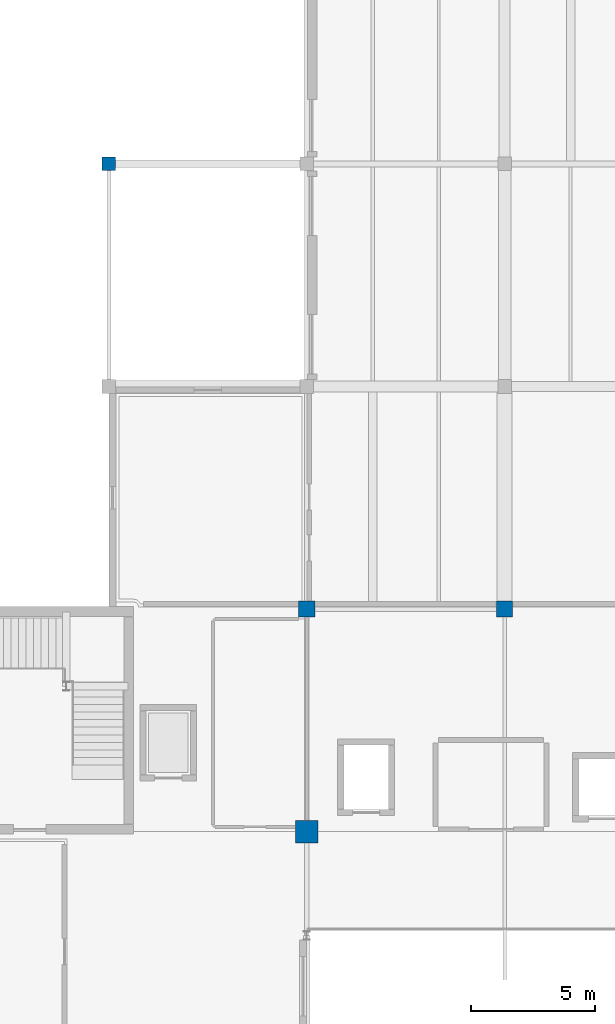
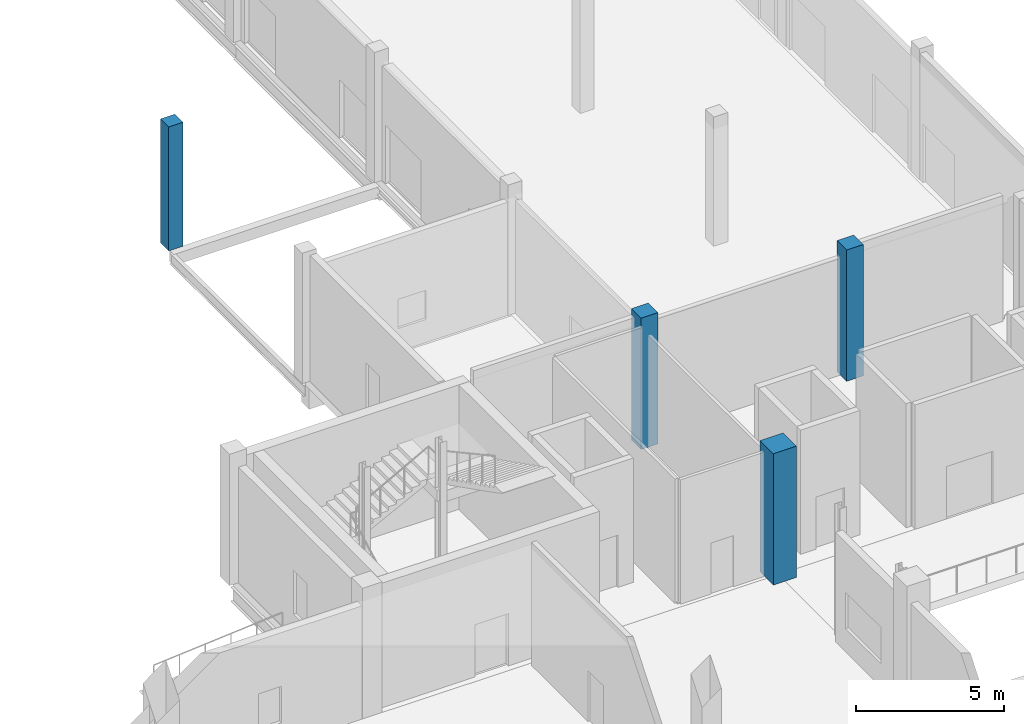
# One storey, part 10 of 57: 4 columns.
"""IFC4 building model written with IfcOpenShell, lengths in metres."""

import ifcopenshell
import ifcopenshell.guid

model = None  # the IFC model being written
_history = None  # IfcOwnerHistory: only IFC2X3 demands one
_inside = {}  # id of a spatial element -> (the spatial element, [elements in it])
_under = {}  # id of a project, library or spatial element -> (it, [spatial elements below it])
_declared = {}  # id of a project -> (the project, [libraries it declares])
_typed = {}  # id of a type object -> (the type object, [elements of that type])
_made_of = {}  # id of a material, layer set ... -> (it, [elements and type objects made of it])


def new_model(schema):
    """Start an empty IFC model of exactly this schema.

    Asked for "IFC4X3", IfcOpenShell would pick the latest addendum, in which some entities
    have other attributes; the version numbers below select the first issue.
    IFC2X3 requires an IfcOwnerHistory on every rooted entity: one is made here for all.
    """
    global model, _history
    if schema == "IFC4X3":
        model = ifcopenshell.file(schema_version=(4, 3, 0, 0))
    else:
        model = ifcopenshell.file(schema=schema)
    _inside.clear()
    _under.clear()
    _declared.clear()
    _typed.clear()
    _made_of.clear()
    _history = None
    if model.schema == "IFC2X3":
        org = make("IfcOrganization", Name="unknown")
        user = make(
            "IfcPersonAndOrganization",
            ThePerson=make("IfcPerson", FamilyName="unknown"),
            TheOrganization=org,
        )
        app = make(
            "IfcApplication",
            ApplicationDeveloper=org,
            Version="unknown",
            ApplicationFullName="unknown",
            ApplicationIdentifier="unknown",
        )
        _history = make(
            "IfcOwnerHistory",
            OwningUser=user,
            OwningApplication=app,
            ChangeAction="ADDED",
            CreationDate=0,
        )
    return model


def make(cls, **values):
    """One entity of the class cls with the attributes given. An attribute that is None is left unset."""
    return model.create_entity(
        cls, **{name: value for name, value in values.items() if value is not None}
    )


def rooted(cls, **values):
    """An entity with a GlobalId (a new one), such as an element, a storey or a relation."""
    return make(cls, GlobalId=ifcopenshell.guid.new(), OwnerHistory=_history, **values)


def si_unit(unit_type, name, prefix=None):
    """IfcSIUnit, for example si_unit("LENGTHUNIT", "METRE", prefix="MILLI")."""
    return make("IfcSIUnit", UnitType=unit_type, Prefix=prefix, Name=name)


def derived_unit(unit_type, elements):
    """IfcDerivedUnit: a product of units, each with its exponent."""
    return make(
        "IfcDerivedUnit",
        Elements=[
            make("IfcDerivedUnitElement", Unit=unit, Exponent=power)
            for unit, power in elements
        ],
        UnitType=unit_type,
    )


def assignment(units):
    """IfcUnitAssignment: the units of a project."""
    return None if units is None else make("IfcUnitAssignment", Units=units)


def point(xyz):
    """IfcCartesianPoint."""
    return None if xyz is None else make("IfcCartesianPoint", Coordinates=xyz)


def direction(xyz):
    """IfcDirection."""
    return None if xyz is None else make("IfcDirection", DirectionRatios=xyz)


def frame(location, z_axis=None, x_axis=None):
    """IfcAxis2Placement3D, a coordinate frame: its origin and axes. An axis left out is left unset."""
    return make(
        "IfcAxis2Placement3D",
        Location=point(location),
        Axis=direction(z_axis),
        RefDirection=direction(x_axis),
    )


def frame_2d(location, x_axis=None):
    """IfcAxis2Placement2D, a coordinate frame in the plane: its origin and x axis."""
    return make(
        "IfcAxis2Placement2D", Location=point(location), RefDirection=direction(x_axis)
    )


def origin():
    """The frame at (0, 0, 0) with its axes left unset."""
    return frame((0.0, 0.0, 0.0))


def origin_2d():
    """The frame at (0, 0) in the plane with its x axis left unset."""
    return frame_2d((0.0, 0.0))


def place(relative_to, where):
    """IfcLocalPlacement: puts the frame where relative to a parent placement (None: the world)."""
    return make(
        "IfcLocalPlacement", PlacementRelTo=relative_to, RelativePlacement=where
    )


def context(
    kind, dimensions, precision=None, world=None, true_north=None, identifier=None
):
    """IfcGeometricRepresentationContext, for example the 3D "Model" context."""
    return make(
        "IfcGeometricRepresentationContext",
        ContextIdentifier=identifier,
        ContextType=kind,
        CoordinateSpaceDimension=dimensions,
        Precision=precision,
        WorldCoordinateSystem=world,
        TrueNorth=true_north,
    )


def subcontext(parent, identifier, kind, view, scale=None):
    """IfcGeometricRepresentationSubContext, for example "Body" below "Model"."""
    return make(
        "IfcGeometricRepresentationSubContext",
        ContextIdentifier=identifier,
        ContextType=kind,
        ParentContext=parent,
        TargetScale=scale,
        TargetView=view,
    )


def project(units=None, contexts=None):
    """IfcProject with its units and contexts."""
    return rooted(
        "IfcProject",
        Name="project",
        RepresentationContexts=contexts,
        UnitsInContext=assignment(units),
    )


def spatial(cls, under=None, at=None, **own):
    """A site, building, storey or space (cls), placed at a placement, below another one or the project."""
    s = rooted(cls, ObjectPlacement=at, **own)
    if under is not None:
        _under.setdefault(under.id(), (under, []))[1].append(s)
    return s


def profile(cls, at=None, kind="AREA", **sizes):
    """A parametric profile (cls). Its sizes go by their IFC names, for example OverallWidth=200.0."""
    return make(cls, ProfileType=kind, Position=at, **sizes)


def rectangle(**sizes):
    """IfcRectangleProfileDef."""
    return profile("IfcRectangleProfileDef", **sizes)


def extrude(swept, where, along, depth):
    """IfcExtrudedAreaSolid: the profile swept, set in the frame where, extruded along a direction by depth."""
    return make(
        "IfcExtrudedAreaSolid",
        SweptArea=swept,
        Position=where,
        ExtrudedDirection=direction(along),
        Depth=depth,
    )


def shape(context_of_items, identifier, shape_type, items):
    """IfcShapeRepresentation: the items that make up one representation, for example the "Body"."""
    return make(
        "IfcShapeRepresentation",
        ContextOfItems=context_of_items,
        RepresentationIdentifier=identifier,
        RepresentationType=shape_type,
        Items=items,
    )


def material(Name=None, Category=None):
    """IfcMaterial."""
    return make("IfcMaterial", Name=Name, Category=Category)


def material_profile(
    of_material, cross_section, Name=None, Category=None, Priority=None
):
    """IfcMaterialProfile: a cross section and its material."""
    return make(
        "IfcMaterialProfile",
        Name=Name,
        Material=of_material,
        Profile=cross_section,
        Priority=Priority,
        Category=Category,
    )


def profile_set(profiles, Name=None, composite=None):
    """IfcMaterialProfileSet."""
    return make(
        "IfcMaterialProfileSet",
        Name=Name,
        MaterialProfiles=profiles,
        CompositeProfile=composite,
    )


def made_of(thing, what):
    """Note that an element or type object is made of a material, layer set ...; save() writes the relation."""
    if what is not None:
        _made_of.setdefault(what.id(), (what, []))[1].append(thing)
    return thing


def type_object(cls, material=None, **own):
    """A type object (cls), such as IfcWallType, which elements share."""
    return made_of(rooted(cls, **own), material)


def element(
    cls,
    number,
    at=None,
    inside=None,
    cuts=None,
    type_object=None,
    material=None,
    context=None,
    identifier="Body",
    shape_type=None,
    held_by="IfcProductDefinitionShape",
    body=None,
    shapes=None,
    **own,
):
    """One element of the class cls, such as IfcWall. Its Tag is "e" and its number.

    at: its placement. inside: the storey or other place that contains it. cuts: it is an
    opening in that element (IfcRelVoidsElement). A single representation is given by context,
    identifier, shape_type and body (its items); several are given by shapes. held_by: the class
    of the entity that holds the representations. save() writes the other relations.
    """
    e = rooted(cls, Tag="e%d" % number, ObjectPlacement=at, **own)
    if body is not None:
        shapes = [shape(context, identifier, shape_type, body)]
    if shapes is not None:
        e.Representation = make(held_by, Representations=shapes)
    if inside is not None:
        _inside.setdefault(inside.id(), (inside, []))[1].append(e)
    if cuts is not None:
        rooted(
            "IfcRelVoidsElement", RelatingBuildingElement=cuts, RelatedOpeningElement=e
        )
    if type_object is not None:
        _typed.setdefault(type_object.id(), (type_object, []))[1].append(e)
    return made_of(e, material)


def aggregate(whole, parts):
    """IfcRelAggregates: a whole, such as a stair, and the parts it consists of."""
    return rooted("IfcRelAggregates", RelatingObject=whole, RelatedObjects=parts)


def save(model, path):
    """Write the relations noted so far, then the file.

    IfcRelAggregates (storeys below a building ...), IfcRelContainedInSpatialStructure (elements
    in a storey), IfcRelDefinesByType, IfcRelAssociatesMaterial and IfcRelDeclares: one each for
    every whole, place, type object, material and project.
    """
    for whole, parts in _under.values():
        aggregate(whole, parts)
    for where, things in _inside.values():
        rooted(
            "IfcRelContainedInSpatialStructure",
            RelatedElements=things,
            RelatingStructure=where,
        )
    for kind, things in _typed.values():
        rooted("IfcRelDefinesByType", RelatedObjects=things, RelatingType=kind)
    for what, things in _made_of.values():
        rooted("IfcRelAssociatesMaterial", RelatedObjects=things, RelatingMaterial=what)
    for by, libraries in _declared.values():
        rooted("IfcRelDeclares", RelatingContext=by, RelatedDefinitions=libraries)
    model.write(path)


model = new_model("IFC4")

# Units and contexts
model_context = context("Model", 3, precision=1e-05, world=origin(), true_north=direction((0.0, 1.0)))
body_context = subcontext(model_context, "Body", "Model", "MODEL_VIEW")
ifc_project = project(units=[si_unit("LENGTHUNIT", "METRE"), si_unit("AREAUNIT", "SQUARE_METRE"), si_unit("VOLUMEUNIT", "CUBIC_METRE"), si_unit("PLANEANGLEUNIT", "RADIAN"), si_unit("MASSUNIT", "GRAM", prefix="KILO"), derived_unit("THERMALTRANSMITTANCEUNIT", [(si_unit("POWERUNIT", "WATT"), 1), (si_unit("LENGTHUNIT", "METRE"), -2), (si_unit("THERMODYNAMICTEMPERATUREUNIT", "KELVIN"), -1)])], contexts=[model_context])

# Site, building, storey
site_placement = place(None, origin())
site = spatial("IfcSite", under=ifc_project, at=site_placement, CompositionType="ELEMENT")
building_placement = place(site_placement, origin())
building = spatial("IfcBuilding", under=site, at=building_placement, Name="Nallur Shell Playhouse", CompositionType="ELEMENT")
storey_placement = place(building_placement, origin())
storey = spatial("IfcBuildingStorey", under=building, at=storey_placement, Name="L01", CompositionType="ELEMENT", Elevation=0.0)

# Columns
ifc_material_1 = material(Name="Concrete M35", Category="concrete")
ifc_material_profile_1 = material_profile(ifc_material_1, rectangle(XDim=0.550048828125, YDim=0.550048828125, at=origin_2d()), Name="RC 550x550")
ifc_profile_set_1 = profile_set([ifc_material_profile_1], Name="Concrete M35")
column_type_1 = type_object("IfcColumnType", Name="CL-RC-550", PredefinedType="COLUMN", material=ifc_profile_set_1)
column_1_placement = place(storey_placement, frame((32.0, 101.0, 0.0), z_axis=(0.0, 0.0, 1.0), x_axis=(1.0, 0.0, 0.0)))
element("IfcColumn", 1, at=column_1_placement, inside=storey, type_object=column_type_1, Name="Column 4-M (L01)", PredefinedType="COLUMN", context=body_context, shape_type="SweptSolid", body=[
    extrude(rectangle(XDim=0.550048828125, YDim=0.550048828125, at=origin_2d()), origin(), (0.0, 0.0, 1.0), 5.10009765625),
])
ifc_material_profile_2 = material_profile(ifc_material_1, rectangle(XDim=0.64990234375, YDim=0.64990234375, at=origin_2d()), Name="RC 650x650")
ifc_profile_set_2 = profile_set([ifc_material_profile_2], Name="Concrete M35")
column_type_2 = type_object("IfcColumnType", Name="CL-RC-650", PredefinedType="COLUMN", material=ifc_profile_set_2)
for number, where, z_axis, x_axis, name in (
    (2, (40.0, 83.0, 0.0), (0.0, 0.0, 1.0), (1.0, 0.0, 0.0), "Column 5-K (L01)"),
    (3, (48.0, 83.0, 0.0), (0.0, 0.0, 1.0), (1.0, 0.0, 0.0), "Column 6-K (L01)"),
):
    element("IfcColumn", number, at=place(storey_placement, frame(where, z_axis=z_axis, x_axis=x_axis)), inside=storey, type_object=column_type_2, Name=name, PredefinedType="COLUMN", context=body_context, shape_type="SweptSolid", body=[
        extrude(rectangle(XDim=0.64990234375, YDim=0.64990234375, at=origin_2d()), origin(), (0.0, 0.0, 1.0), 5.39990234375),
    ])
ifc_material_2 = material(Name="Concrete M40", Category="concrete")
ifc_material_profile_3 = material_profile(ifc_material_2, rectangle(XDim=0.89990234375, YDim=0.89990234375, at=origin_2d()), Name="RC 900x900")
ifc_profile_set_3 = profile_set([ifc_material_profile_3], Name="Concrete M40")
column_type_3 = type_object("IfcColumnType", Name="CL-RC-900", PredefinedType="COLUMN", material=ifc_profile_set_3)
column_2_placement = place(storey_placement, frame((40.0, 74.0, 0.0), z_axis=(0.0, 0.0, 1.0), x_axis=(1.0, 0.0, 0.0)))
element("IfcColumn", 4, at=column_2_placement, inside=storey, type_object=column_type_3, Name="Column 5-J (L01)", PredefinedType="COLUMN", context=body_context, shape_type="SweptSolid", body=[
    extrude(rectangle(XDim=0.89990234375, YDim=0.89990234375, at=origin_2d()), origin(), (0.0, 0.0, 1.0), 5.39990234375),
])

save(model, "model.ifc")
